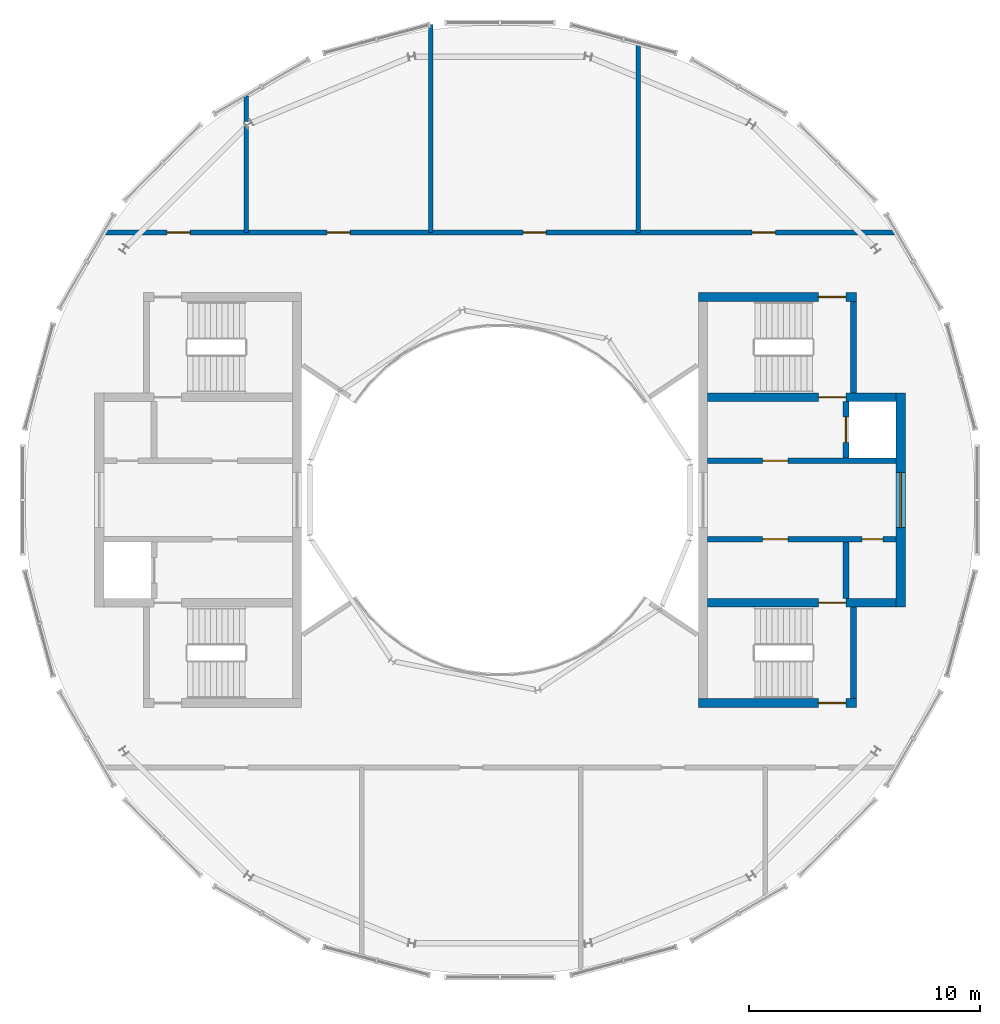
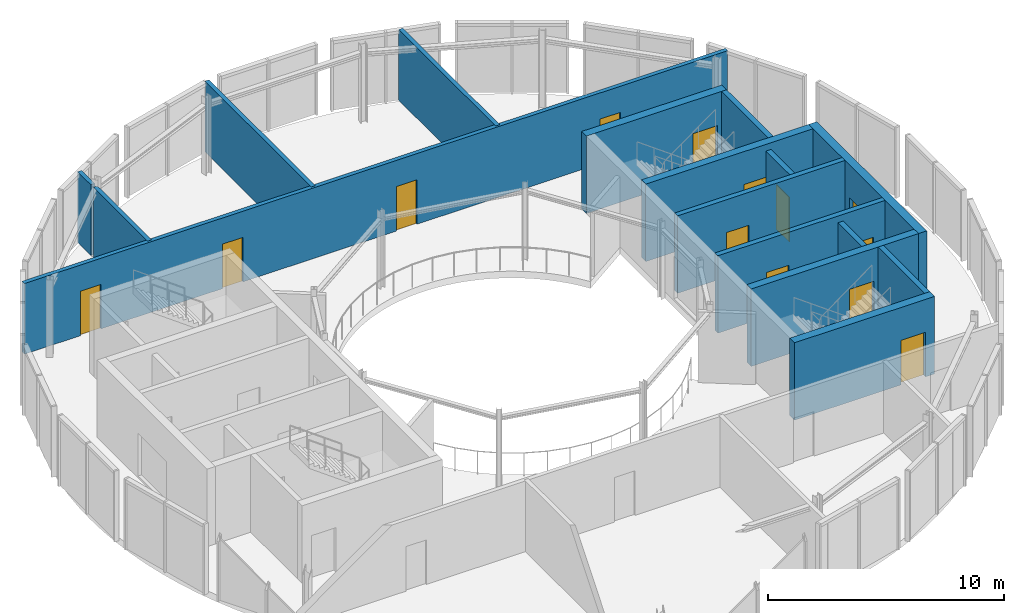
# One storey, part 9 of 12: 16 walls, 12 doors, 1 window, 13 openings.
"""IFC4 building model written with IfcOpenShell, lengths in metres."""

import ifcopenshell
import ifcopenshell.guid

model = None  # the IFC model being written
_history = None  # IfcOwnerHistory: only IFC2X3 demands one
_inside = {}  # id of a spatial element -> (the spatial element, [elements in it])
_under = {}  # id of a project, library or spatial element -> (it, [spatial elements below it])
_declared = {}  # id of a project -> (the project, [libraries it declares])
_typed = {}  # id of a type object -> (the type object, [elements of that type])
_made_of = {}  # id of a material, layer set ... -> (it, [elements and type objects made of it])


def new_model(schema):
    """Start an empty IFC model of exactly this schema.

    Asked for "IFC4X3", IfcOpenShell would pick the latest addendum, in which some entities
    have other attributes; the version numbers below select the first issue.
    IFC2X3 requires an IfcOwnerHistory on every rooted entity: one is made here for all.
    """
    global model, _history
    if schema == "IFC4X3":
        model = ifcopenshell.file(schema_version=(4, 3, 0, 0))
    else:
        model = ifcopenshell.file(schema=schema)
    _inside.clear()
    _under.clear()
    _declared.clear()
    _typed.clear()
    _made_of.clear()
    _history = None
    if model.schema == "IFC2X3":
        org = make("IfcOrganization", Name="unknown")
        user = make(
            "IfcPersonAndOrganization",
            ThePerson=make("IfcPerson", FamilyName="unknown"),
            TheOrganization=org,
        )
        app = make(
            "IfcApplication",
            ApplicationDeveloper=org,
            Version="unknown",
            ApplicationFullName="unknown",
            ApplicationIdentifier="unknown",
        )
        _history = make(
            "IfcOwnerHistory",
            OwningUser=user,
            OwningApplication=app,
            ChangeAction="ADDED",
            CreationDate=0,
        )
    return model


def make(cls, **values):
    """One entity of the class cls with the attributes given. An attribute that is None is left unset."""
    return model.create_entity(
        cls, **{name: value for name, value in values.items() if value is not None}
    )


def rooted(cls, **values):
    """An entity with a GlobalId (a new one), such as an element, a storey or a relation."""
    return make(cls, GlobalId=ifcopenshell.guid.new(), OwnerHistory=_history, **values)


def si_unit(unit_type, name, prefix=None):
    """IfcSIUnit, for example si_unit("LENGTHUNIT", "METRE", prefix="MILLI")."""
    return make("IfcSIUnit", UnitType=unit_type, Prefix=prefix, Name=name)


def assignment(units):
    """IfcUnitAssignment: the units of a project."""
    return None if units is None else make("IfcUnitAssignment", Units=units)


def point(xyz):
    """IfcCartesianPoint."""
    return None if xyz is None else make("IfcCartesianPoint", Coordinates=xyz)


def direction(xyz):
    """IfcDirection."""
    return None if xyz is None else make("IfcDirection", DirectionRatios=xyz)


def frame(location, z_axis=None, x_axis=None):
    """IfcAxis2Placement3D, a coordinate frame: its origin and axes. An axis left out is left unset."""
    return make(
        "IfcAxis2Placement3D",
        Location=point(location),
        Axis=direction(z_axis),
        RefDirection=direction(x_axis),
    )


def frame_2d(location, x_axis=None):
    """IfcAxis2Placement2D, a coordinate frame in the plane: its origin and x axis."""
    return make(
        "IfcAxis2Placement2D", Location=point(location), RefDirection=direction(x_axis)
    )


def origin():
    """The frame at (0, 0, 0) with its axes left unset."""
    return frame((0.0, 0.0, 0.0))


def place(relative_to, where):
    """IfcLocalPlacement: puts the frame where relative to a parent placement (None: the world)."""
    return make(
        "IfcLocalPlacement", PlacementRelTo=relative_to, RelativePlacement=where
    )


def context(
    kind, dimensions, precision=None, world=None, true_north=None, identifier=None
):
    """IfcGeometricRepresentationContext, for example the 3D "Model" context."""
    return make(
        "IfcGeometricRepresentationContext",
        ContextIdentifier=identifier,
        ContextType=kind,
        CoordinateSpaceDimension=dimensions,
        Precision=precision,
        WorldCoordinateSystem=world,
        TrueNorth=true_north,
    )


def subcontext(parent, identifier, kind, view, scale=None):
    """IfcGeometricRepresentationSubContext, for example "Body" below "Model"."""
    return make(
        "IfcGeometricRepresentationSubContext",
        ContextIdentifier=identifier,
        ContextType=kind,
        ParentContext=parent,
        TargetScale=scale,
        TargetView=view,
    )


def project(units=None, contexts=None):
    """IfcProject with its units and contexts."""
    return rooted(
        "IfcProject",
        Name="project",
        RepresentationContexts=contexts,
        UnitsInContext=assignment(units),
    )


def spatial(cls, under=None, at=None, **own):
    """A site, building, storey or space (cls), placed at a placement, below another one or the project."""
    s = rooted(cls, ObjectPlacement=at, **own)
    if under is not None:
        _under.setdefault(under.id(), (under, []))[1].append(s)
    return s


def profile(cls, at=None, kind="AREA", **sizes):
    """A parametric profile (cls). Its sizes go by their IFC names, for example OverallWidth=200.0."""
    return make(cls, ProfileType=kind, Position=at, **sizes)


def rectangle(**sizes):
    """IfcRectangleProfileDef."""
    return profile("IfcRectangleProfileDef", **sizes)


def extrude(swept, where, along, depth):
    """IfcExtrudedAreaSolid: the profile swept, set in the frame where, extruded along a direction by depth."""
    return make(
        "IfcExtrudedAreaSolid",
        SweptArea=swept,
        Position=where,
        ExtrudedDirection=direction(along),
        Depth=depth,
    )


def shape(context_of_items, identifier, shape_type, items):
    """IfcShapeRepresentation: the items that make up one representation, for example the "Body"."""
    return make(
        "IfcShapeRepresentation",
        ContextOfItems=context_of_items,
        RepresentationIdentifier=identifier,
        RepresentationType=shape_type,
        Items=items,
    )


def material(Name=None, Category=None):
    """IfcMaterial."""
    return make("IfcMaterial", Name=Name, Category=Category)


def layer(
    of_material, thickness, ventilated=None, Name=None, Category=None, Priority=None
):
    """IfcMaterialLayer: one layer of a wall or slab, of a material (None: an air gap)."""
    return make(
        "IfcMaterialLayer",
        Material=of_material,
        LayerThickness=thickness,
        IsVentilated=ventilated,
        Name=Name,
        Category=Category,
        Priority=Priority,
    )


def layer_set(layers, Name=None):
    """IfcMaterialLayerSet."""
    return make("IfcMaterialLayerSet", MaterialLayers=layers, LayerSetName=Name)


def made_of(thing, what):
    """Note that an element or type object is made of a material, layer set ...; save() writes the relation."""
    if what is not None:
        _made_of.setdefault(what.id(), (what, []))[1].append(thing)
    return thing


def type_object(cls, material=None, **own):
    """A type object (cls), such as IfcWallType, which elements share."""
    return made_of(rooted(cls, **own), material)


def element(
    cls,
    number,
    at=None,
    inside=None,
    cuts=None,
    type_object=None,
    material=None,
    context=None,
    identifier="Body",
    shape_type=None,
    held_by="IfcProductDefinitionShape",
    body=None,
    shapes=None,
    **own,
):
    """One element of the class cls, such as IfcWall. Its Tag is "e" and its number.

    at: its placement. inside: the storey or other place that contains it. cuts: it is an
    opening in that element (IfcRelVoidsElement). A single representation is given by context,
    identifier, shape_type and body (its items); several are given by shapes. held_by: the class
    of the entity that holds the representations. save() writes the other relations.
    """
    e = rooted(cls, Tag="e%d" % number, ObjectPlacement=at, **own)
    if body is not None:
        shapes = [shape(context, identifier, shape_type, body)]
    if shapes is not None:
        e.Representation = make(held_by, Representations=shapes)
    if inside is not None:
        _inside.setdefault(inside.id(), (inside, []))[1].append(e)
    if cuts is not None:
        rooted(
            "IfcRelVoidsElement", RelatingBuildingElement=cuts, RelatedOpeningElement=e
        )
    if type_object is not None:
        _typed.setdefault(type_object.id(), (type_object, []))[1].append(e)
    return made_of(e, material)


def fill(opening, filler):
    """IfcRelFillsElement: the door or window that sits in an opening."""
    return rooted(
        "IfcRelFillsElement",
        RelatingOpeningElement=opening,
        RelatedBuildingElement=filler,
    )


def aggregate(whole, parts):
    """IfcRelAggregates: a whole, such as a stair, and the parts it consists of."""
    return rooted("IfcRelAggregates", RelatingObject=whole, RelatedObjects=parts)


def save(model, path):
    """Write the relations noted so far, then the file.

    IfcRelAggregates (storeys below a building ...), IfcRelContainedInSpatialStructure (elements
    in a storey), IfcRelDefinesByType, IfcRelAssociatesMaterial and IfcRelDeclares: one each for
    every whole, place, type object, material and project.
    """
    for whole, parts in _under.values():
        aggregate(whole, parts)
    for where, things in _inside.values():
        rooted(
            "IfcRelContainedInSpatialStructure",
            RelatedElements=things,
            RelatingStructure=where,
        )
    for kind, things in _typed.values():
        rooted("IfcRelDefinesByType", RelatedObjects=things, RelatingType=kind)
    for what, things in _made_of.values():
        rooted("IfcRelAssociatesMaterial", RelatedObjects=things, RelatingMaterial=what)
    for by, libraries in _declared.values():
        rooted("IfcRelDeclares", RelatingContext=by, RelatedDefinitions=libraries)
    model.write(path)


model = new_model("IFC4")

# Units and contexts
model_context = context("Model", 3, precision=1e-05, world=origin(), true_north=direction((0.0, 1.0)))
body_context = subcontext(model_context, "Body", "Model", "MODEL_VIEW")
ifc_project = project(units=[si_unit("LENGTHUNIT", "METRE"), si_unit("AREAUNIT", "SQUARE_METRE"), si_unit("VOLUMEUNIT", "CUBIC_METRE"), si_unit("PLANEANGLEUNIT", "RADIAN"), si_unit("MASSUNIT", "GRAM", prefix="KILO")], contexts=[model_context])

# Site, building, storey
site_placement = place(None, origin())
site = spatial("IfcSite", under=ifc_project, at=site_placement, CompositionType="ELEMENT")
building_placement = place(site_placement, origin())
building = spatial("IfcBuilding", under=site, at=building_placement, Name="Maasbend Ring Residences", CompositionType="ELEMENT")
storey_placement = place(building_placement, frame((0.0, 0.0, 265.5)))
storey = spatial("IfcBuildingStorey", under=building, at=storey_placement, Name="L76", CompositionType="ELEMENT", Elevation=265.5)

# Walls
ifc_material_1 = material(Name="Concrete C30/37", Category="concrete")
ifc_layer_1 = layer(ifc_material_1, 0.199951171875)
ifc_layer_set_1 = layer_set([ifc_layer_1], Name="Concrete C30/37")
wall_type_1 = type_object("IfcWallType", Name="COMPARTMENT WALL 200 CONCRETE", PredefinedType="PARTITIONING", material=ifc_layer_set_1)
wall_1_placement = place(storey_placement, frame((6.0, 11.60009765625, 0.0), z_axis=(0.0, 0.0, 1.0), x_axis=(0.0, 1.0, 0.0)))
element("IfcWall", 1, at=wall_1_placement, inside=storey, type_object=wall_type_1, Name="U-L76-w003", PredefinedType="PARTITIONING", context=body_context, shape_type="SweptSolid", body=[
    extrude(rectangle(XDim=8.208984375, YDim=0.199951171875, at=frame_2d((4.1044921875, 0.0))), origin(), (0.0, 0.0, 1.0), 3.64990234375),
])
wall_2_placement = place(storey_placement, frame((-3.0, 11.60009765625, 0.0), z_axis=(0.0, 0.0, 1.0), x_axis=(0.0, 1.0, 0.0)))
element("IfcWall", 2, at=wall_2_placement, inside=storey, type_object=wall_type_1, Name="U-L76-w009", PredefinedType="PARTITIONING", context=body_context, shape_type="SweptSolid", body=[
    extrude(rectangle(XDim=9.012939453125, YDim=0.199951171875, at=frame_2d((4.50634765625, 0.0))), origin(), (0.0, 0.0, 1.0), 3.64990234375),
])
wall_3_placement = place(storey_placement, frame((-11.0, 11.60009765625, 0.0), z_axis=(0.0, 0.0, 1.0), x_axis=(0.0, 1.0, 0.0)))
element("IfcWall", 3, at=wall_3_placement, inside=storey, type_object=wall_type_1, Name="U-L76-w011", PredefinedType="PARTITIONING", context=body_context, shape_type="SweptSolid", body=[
    extrude(rectangle(XDim=4.593017578125, YDim=0.199951171875, at=frame_2d((2.29638671875, 0.0))), origin(), (0.0, 0.0, 1.0), 3.64990234375),
])
wall_4_placement = place(storey_placement, frame((-11.0, 16.403076171875, 0.0), z_axis=(0.0, 0.0, 1.0), x_axis=(0.0, 1.0, 0.0)))
element("IfcWall", 4, at=wall_4_placement, inside=storey, type_object=wall_type_1, Name="U-L76-w012", PredefinedType="PARTITIONING", context=body_context, shape_type="SweptSolid", body=[
    extrude(rectangle(XDim=1.119873046875, YDim=0.199951171875, at=frame_2d((0.56005859375, 0.0))), origin(), (0.0, 0.0, 1.0), 3.64990234375),
])

# Wall, openings, doors
wall_5_placement = place(storey_placement, frame((-17.177001953125, 11.60009765625, 0.0), z_axis=(0.0, 0.0, 1.0), x_axis=(1.0, 0.0, 0.0)))
wall_5 = element("IfcWall", 5, at=wall_5_placement, inside=storey, type_object=wall_type_1, Name="U-L76-w013", PredefinedType="PARTITIONING", context=body_context, shape_type="SweptSolid", body=[
    extrude(rectangle(XDim=34.35400390625, YDim=0.199951171875, at=frame_2d((17.177001953125, 0.0))), origin(), (0.0, 0.0, 1.0), 3.64990234375),
])
opening_1_placement = place(wall_5_placement, frame((2.740966796875, 0.0, 0.0)))
opening_1 = element("IfcOpeningElement", 6, at=opening_1_placement, cuts=wall_5, Name="Opening D-7601", PredefinedType="OPENING", context=body_context, shape_type="SweptSolid", body=[
    extrude(rectangle(XDim=1.0, YDim=2.300048828125, at=frame_2d((0.5, 1.14990234375))), frame((0.0, 0.10986328125, 0.0), z_axis=(0.0, -1.0, 0.0), x_axis=(1.0, 0.0, 0.0)), (0.0, 0.0, 1.0), 0.219970703125),
])
opening_2_placement = place(wall_5_placement, frame((9.677001953125, 0.0, 0.0)))
opening_2 = element("IfcOpeningElement", 7, at=opening_2_placement, cuts=wall_5, Name="Opening D-7602", PredefinedType="OPENING", context=body_context, shape_type="SweptSolid", body=[
    extrude(rectangle(XDim=1.0, YDim=2.300048828125, at=frame_2d((0.5, 1.14990234375))), frame((0.0, 0.10986328125, 0.0), z_axis=(0.0, -1.0, 0.0), x_axis=(1.0, 0.0, 0.0)), (0.0, 0.0, 1.0), 0.219970703125),
])
opening_3_placement = place(wall_5_placement, frame((18.177001953125, 0.0, 0.0)))
opening_3 = element("IfcOpeningElement", 8, at=opening_3_placement, cuts=wall_5, Name="Opening D-7603", PredefinedType="OPENING", context=body_context, shape_type="SweptSolid", body=[
    extrude(rectangle(XDim=1.0, YDim=2.300048828125, at=frame_2d((0.5, 1.14990234375))), frame((0.0, 0.10986328125, 0.0), z_axis=(0.0, -1.0, 0.0), x_axis=(1.0, 0.0, 0.0)), (0.0, 0.0, 1.0), 0.219970703125),
])
opening_4_placement = place(wall_5_placement, frame((28.113037109375, 0.0, 0.0)))
opening_4 = element("IfcOpeningElement", 9, at=opening_4_placement, cuts=wall_5, Name="Opening D-7604", PredefinedType="OPENING", context=body_context, shape_type="SweptSolid", body=[
    extrude(rectangle(XDim=1.0, YDim=2.300048828125, at=frame_2d((0.5, 1.14990234375))), frame((0.0, 0.10986328125, 0.0), z_axis=(0.0, -1.0, 0.0), x_axis=(1.0, 0.0, 0.0)), (0.0, 0.0, 1.0), 0.219970703125),
])
ifc_material_2 = material(Name="Steel, fire-rated, painted", Category="steel")
door_type_1 = type_object("IfcDoorType", Name="PLANT DOOR 1000 X 2300 FIRE-RATED", OperationType="NOTDEFINED", PredefinedType="DOOR", material=ifc_material_2)
door_1_placement = place(opening_1_placement, origin())
door_1 = element("IfcDoor", 10, at=door_1_placement, inside=storey, type_object=door_type_1, Name="D-7601", OperationType="SINGLE_SWING_LEFT", OverallHeight=2.300048828125, OverallWidth=1.0, PredefinedType="DOOR", context=body_context, shape_type="SweptSolid", body=[
    extrude(rectangle(XDim=1.0, YDim=2.300048828125, at=frame_2d((0.5, 1.14990234375))), frame((0.0, 0.02490234375, 0.0), z_axis=(0.0, -1.0, 0.0), x_axis=(1.0, 0.0, 0.0)), (0.0, 0.0, 1.0), 0.050048828125),
])
fill(opening_1, door_1)
door_2_placement = place(opening_2_placement, origin())
door_2 = element("IfcDoor", 11, at=door_2_placement, inside=storey, type_object=door_type_1, Name="D-7602", OperationType="SINGLE_SWING_LEFT", OverallHeight=2.300048828125, OverallWidth=1.0, PredefinedType="DOOR", context=body_context, shape_type="SweptSolid", body=[
    extrude(rectangle(XDim=1.0, YDim=2.300048828125, at=frame_2d((0.5, 1.14990234375))), frame((0.0, 0.02490234375, 0.0), z_axis=(0.0, -1.0, 0.0), x_axis=(1.0, 0.0, 0.0)), (0.0, 0.0, 1.0), 0.050048828125),
])
fill(opening_2, door_2)
door_3_placement = place(opening_3_placement, origin())
door_3 = element("IfcDoor", 12, at=door_3_placement, inside=storey, type_object=door_type_1, Name="D-7603", OperationType="SINGLE_SWING_RIGHT", OverallHeight=2.300048828125, OverallWidth=1.0, PredefinedType="DOOR", context=body_context, shape_type="SweptSolid", body=[
    extrude(rectangle(XDim=1.0, YDim=2.300048828125, at=frame_2d((0.5, 1.14990234375))), frame((0.0, 0.02490234375, 0.0), z_axis=(0.0, -1.0, 0.0), x_axis=(1.0, 0.0, 0.0)), (0.0, 0.0, 1.0), 0.050048828125),
])
fill(opening_3, door_3)
door_4_placement = place(opening_4_placement, origin())
door_4 = element("IfcDoor", 13, at=door_4_placement, inside=storey, type_object=door_type_1, Name="D-7604", OperationType="SINGLE_SWING_RIGHT", OverallHeight=2.300048828125, OverallWidth=1.0, PredefinedType="DOOR", context=body_context, shape_type="SweptSolid", body=[
    extrude(rectangle(XDim=1.0, YDim=2.300048828125, at=frame_2d((0.5, 1.14990234375))), frame((0.0, 0.02490234375, 0.0), z_axis=(0.0, -1.0, 0.0), x_axis=(1.0, 0.0, 0.0)), (0.0, 0.0, 1.0), 0.050048828125),
])
fill(opening_4, door_4)

# Wall, opening, door
ifc_material_3 = material(Name="Concrete C50/60", Category="concrete")
ifc_layer_2 = layer(ifc_material_3, 0.25)
ifc_layer_set_2 = layer_set([ifc_layer_2], Name="Concrete C50/60")
wall_type_2 = type_object("IfcWallType", Name="CORE WALL 250 C50/60", PredefinedType="SHEAR", material=ifc_layer_set_2)
wall_6_placement = place(storey_placement, frame((9.0, 1.699951171875, 0.0), z_axis=(0.0, 0.0, 1.0), x_axis=(1.0, 0.0, 0.0)))
wall_6 = element("IfcWall", 14, at=wall_6_placement, inside=storey, type_object=wall_type_2, Name="L76 core E wall SPN", PredefinedType="SHEAR", context=body_context, shape_type="SweptSolid", body=[
    extrude(rectangle(XDim=8.175048828125, YDim=0.25, at=frame_2d((4.08740234375, 0.0))), origin(), (0.0, 0.0, 1.0), 4.0),
])
opening_5_placement = place(wall_6_placement, frame((2.387451171875, 0.0, 0.0)))
opening_5 = element("IfcOpeningElement", 15, at=opening_5_placement, cuts=wall_6, Name="Opening D-E7602", PredefinedType="OPENING", context=body_context, shape_type="SweptSolid", body=[
    extrude(rectangle(XDim=1.10009765625, YDim=2.300048828125, at=frame_2d((0.550048828125, 1.14990234375))), frame((0.0, 0.135009765625, 0.0), z_axis=(0.0, -1.0, 0.0), x_axis=(1.0, 0.0, 0.0)), (0.0, 0.0, 1.0), 0.27001953125),
])
ifc_material_4 = material(Name="Steel, powder coated", Category="steel")
door_type_2 = type_object("IfcDoorType", Name="LOBBY DOOR 1100 X 2300 FD60", OperationType="NOTDEFINED", PredefinedType="DOOR", material=ifc_material_4)
door_5_placement = place(opening_5_placement, origin())
door_5 = element("IfcDoor", 16, at=door_5_placement, inside=storey, type_object=door_type_2, Name="Lobby door L76", OperationType="SINGLE_SWING_RIGHT", OverallHeight=2.300048828125, OverallWidth=1.10009765625, PredefinedType="DOOR", context=body_context, shape_type="SweptSolid", body=[
    extrude(rectangle(XDim=1.10009765625, YDim=2.300048828125, at=frame_2d((0.550048828125, 1.14990234375))), frame((0.0, 0.02490234375, 0.0), z_axis=(0.0, -1.0, 0.0), x_axis=(1.0, 0.0, 0.0)), (0.0, 0.0, 1.0), 0.050048828125),
])
fill(opening_5, door_5)

# Wall
wall_7_placement = place(storey_placement, frame((15.324951171875, 4.64990234375, 0.0), z_axis=(0.0, 0.0, 1.0), x_axis=(0.0, 1.0, 0.0)))
element("IfcWall", 17, at=wall_7_placement, inside=storey, type_object=wall_type_2, Name="L76 core E wall STEN", PredefinedType="SHEAR", context=body_context, shape_type="SweptSolid", body=[
    extrude(rectangle(XDim=3.9501953125, YDim=0.25, at=frame_2d((1.97509765625, 0.0))), origin(), (0.0, 0.0, 1.0), 4.0),
])

# Wall, openings, doors
wall_8_placement = place(storey_placement, frame((17.175048828125, -1.699951171875, 0.0), z_axis=(0.0, 0.0, 1.0), x_axis=(-1.0, 0.0, 0.0)))
wall_8 = element("IfcWall", 18, at=wall_8_placement, inside=storey, type_object=wall_type_2, Name="L76 core E wall SPS", PredefinedType="SHEAR", context=body_context, shape_type="SweptSolid", body=[
    extrude(rectangle(XDim=8.175048828125, YDim=0.25, at=frame_2d((4.08740234375, 0.0))), origin(), (0.0, 0.0, 1.0), 4.0),
])
opening_6_placement = place(wall_8_placement, frame((4.6875, 0.0, 0.0)))
opening_6 = element("IfcOpeningElement", 19, at=opening_6_placement, cuts=wall_8, Name="Opening D-E7603", PredefinedType="OPENING", context=body_context, shape_type="SweptSolid", body=[
    extrude(rectangle(XDim=1.10009765625, YDim=2.300048828125, at=frame_2d((0.550048828125, 1.14990234375))), frame((0.0, 0.135009765625, 0.0), z_axis=(0.0, -1.0, 0.0), x_axis=(1.0, 0.0, 0.0)), (0.0, 0.0, 1.0), 0.27001953125),
])
opening_7_placement = place(wall_8_placement, frame((0.574951171875, 0.0, 0.0)))
opening_7 = element("IfcOpeningElement", 20, at=opening_7_placement, cuts=wall_8, Name="Opening D-E7604", PredefinedType="OPENING", context=body_context, shape_type="SweptSolid", body=[
    extrude(rectangle(XDim=0.89990234375, YDim=2.300048828125, at=frame_2d((0.449951171875, 1.14990234375))), frame((0.0, 0.135009765625, 0.0), z_axis=(0.0, -1.0, 0.0), x_axis=(1.0, 0.0, 0.0)), (0.0, 0.0, 1.0), 0.27001953125),
])
ifc_material_5 = material(Name="Steel, powder coated", Category="steel")
door_type_3 = type_object("IfcDoorType", Name="ROOM DOOR 1100 X 2300 FD30S", OperationType="NOTDEFINED", PredefinedType="DOOR", material=ifc_material_5)
door_6_placement = place(opening_6_placement, origin())
door_6 = element("IfcDoor", 21, at=door_6_placement, inside=storey, type_object=door_type_3, Name="Room door L76", OperationType="SINGLE_SWING_LEFT", OverallHeight=2.300048828125, OverallWidth=1.10009765625, PredefinedType="DOOR", context=body_context, shape_type="SweptSolid", body=[
    extrude(rectangle(XDim=1.10009765625, YDim=2.300048828125, at=frame_2d((0.550048828125, 1.14990234375))), frame((0.0, 0.02490234375, 0.0), z_axis=(0.0, -1.0, 0.0), x_axis=(1.0, 0.0, 0.0)), (0.0, 0.0, 1.0), 0.050048828125),
])
fill(opening_6, door_6)
ifc_material_6 = material(Name="Steel, powder coated", Category="steel")
door_type_4 = type_object("IfcDoorType", Name="ROOM DOOR 900 X 2300 FD30S", OperationType="NOTDEFINED", PredefinedType="DOOR", material=ifc_material_6)
door_7_placement = place(opening_7_placement, origin())
door_7 = element("IfcDoor", 22, at=door_7_placement, inside=storey, type_object=door_type_4, Name="Room door L76", OperationType="SINGLE_SWING_RIGHT", OverallHeight=2.300048828125, OverallWidth=0.89990234375, PredefinedType="DOOR", context=body_context, shape_type="SweptSolid", body=[
    extrude(rectangle(XDim=0.89990234375, YDim=2.300048828125, at=frame_2d((0.449951171875, 1.14990234375))), frame((0.0, 0.02490234375, 0.0), z_axis=(0.0, -1.0, 0.0), x_axis=(1.0, 0.0, 0.0)), (0.0, 0.0, 1.0), 0.050048828125),
])
fill(opening_7, door_7)

# Wall
wall_9_placement = place(storey_placement, frame((15.324951171875, -4.64990234375, 0.0), z_axis=(0.0, 0.0, 1.0), x_axis=(0.0, -1.0, 0.0)))
element("IfcWall", 23, at=wall_9_placement, inside=storey, type_object=wall_type_2, Name="L76 core E wall STES", PredefinedType="SHEAR", context=body_context, shape_type="SweptSolid", body=[
    extrude(rectangle(XDim=3.9501953125, YDim=0.25, at=frame_2d((1.97509765625, 0.0))), origin(), (0.0, 0.0, 1.0), 4.0),
])

# Wall, opening, door
ifc_material_7 = material(Name="Concrete C50/60", Category="concrete")
ifc_layer_3 = layer(ifc_material_7, 0.375)
ifc_layer_set_3 = layer_set([ifc_layer_3], Name="Concrete C50/60")
wall_type_3 = type_object("IfcWallType", Name="CORE WALL 375 C50/60", PredefinedType="SHEAR", material=ifc_layer_set_3)
wall_10_placement = place(storey_placement, frame((9.0, 4.46240234375, 0.0), z_axis=(0.0, 0.0, 1.0), x_axis=(1.0, 0.0, 0.0)))
wall_10 = element("IfcWall", 24, at=wall_10_placement, inside=storey, type_object=wall_type_3, Name="L76 core E wall BN", PredefinedType="SHEAR", context=body_context, shape_type="SweptSolid", body=[
    extrude(rectangle(XDim=8.175048828125, YDim=0.375, at=frame_2d((4.08740234375, 0.0))), origin(), (0.0, 0.0, 1.0), 4.0),
])
opening_8_placement = place(wall_10_placement, frame((4.800048828125, 0.0, 0.0)))
opening_8 = element("IfcOpeningElement", 25, at=opening_8_placement, cuts=wall_10, Name="Opening D-E7605", PredefinedType="OPENING", context=body_context, shape_type="SweptSolid", body=[
    extrude(rectangle(XDim=1.199951171875, YDim=2.300048828125, at=frame_2d((0.60009765625, 1.14990234375))), frame((0.0, 0.197509765625, 0.0), z_axis=(0.0, -1.0, 0.0), x_axis=(1.0, 0.0, 0.0)), (0.0, 0.0, 1.0), 0.39501953125),
])
ifc_material_8 = material(Name="Steel, powder coated", Category="steel")
door_type_5 = type_object("IfcDoorType", Name="STAIR DOOR 1200 X 2300 FD60", OperationType="NOTDEFINED", PredefinedType="DOOR", material=ifc_material_8)
door_8_placement = place(opening_8_placement, origin())
door_8 = element("IfcDoor", 26, at=door_8_placement, inside=storey, type_object=door_type_5, Name="Stair door ST-E L76", OperationType="SINGLE_SWING_LEFT", OverallHeight=2.300048828125, OverallWidth=1.199951171875, PredefinedType="DOOR", context=body_context, shape_type="SweptSolid", body=[
    extrude(rectangle(XDim=1.199951171875, YDim=2.300048828125, at=frame_2d((0.60009765625, 1.14990234375))), frame((0.0, 0.02490234375, 0.0), z_axis=(0.0, -1.0, 0.0), x_axis=(1.0, 0.0, 0.0)), (0.0, 0.0, 1.0), 0.050048828125),
])
fill(opening_8, door_8)

wall_11_placement = place(storey_placement, frame((17.175048828125, -4.46240234375, 0.0), z_axis=(0.0, 0.0, 1.0), x_axis=(-1.0, 0.0, 0.0)))
wall_11 = element("IfcWall", 27, at=wall_11_placement, inside=storey, type_object=wall_type_3, Name="L76 core E wall BS", PredefinedType="SHEAR", context=body_context, shape_type="SweptSolid", body=[
    extrude(rectangle(XDim=8.175048828125, YDim=0.375, at=frame_2d((4.08740234375, 0.0))), origin(), (0.0, 0.0, 1.0), 4.0),
])
opening_9_placement = place(wall_11_placement, frame((2.175048828125, 0.0, 0.0)))
opening_9 = element("IfcOpeningElement", 28, at=opening_9_placement, cuts=wall_11, Name="Opening D-E7606", PredefinedType="OPENING", context=body_context, shape_type="SweptSolid", body=[
    extrude(rectangle(XDim=1.199951171875, YDim=2.300048828125, at=frame_2d((0.60009765625, 1.14990234375))), frame((0.0, 0.197509765625, 0.0), z_axis=(0.0, -1.0, 0.0), x_axis=(1.0, 0.0, 0.0)), (0.0, 0.0, 1.0), 0.39501953125),
])
door_9_placement = place(opening_9_placement, origin())
door_9 = element("IfcDoor", 29, at=door_9_placement, inside=storey, type_object=door_type_5, Name="Stair door ST-E L76", OperationType="SINGLE_SWING_RIGHT", OverallHeight=2.300048828125, OverallWidth=1.199951171875, PredefinedType="DOOR", context=body_context, shape_type="SweptSolid", body=[
    extrude(rectangle(XDim=1.199951171875, YDim=2.300048828125, at=frame_2d((0.60009765625, 1.14990234375))), frame((0.0, 0.02490234375, 0.0), z_axis=(0.0, -1.0, 0.0), x_axis=(1.0, 0.0, 0.0)), (0.0, 0.0, 1.0), 0.050048828125),
])
fill(opening_9, door_9)

ifc_material_9 = material(Name="Concrete C50/60", Category="concrete")
ifc_layer_4 = layer(ifc_material_9, 0.39990234375)
ifc_layer_set_4 = layer_set([ifc_layer_4], Name="Concrete C50/60")
wall_type_4 = type_object("IfcWallType", Name="CORE WALL 400 C50/60", PredefinedType="SHEAR", material=ifc_layer_set_4)
wall_12_placement = place(storey_placement, frame((15.449951171875, 8.800048828125, 0.0), z_axis=(0.0, 0.0, 1.0), x_axis=(-1.0, 0.0, 0.0)))
wall_12 = element("IfcWall", 30, at=wall_12_placement, inside=storey, type_object=wall_type_4, Name="L76 core E wall PN", PredefinedType="SHEAR", context=body_context, shape_type="SweptSolid", body=[
    extrude(rectangle(XDim=6.849853515625, YDim=0.39990234375, at=frame_2d((3.4248046875, 0.0))), origin(), (0.0, 0.0, 1.0), 4.0),
])
opening_10_placement = place(wall_12_placement, frame((0.449951171875, 0.0, 0.0)))
opening_10 = element("IfcOpeningElement", 31, at=opening_10_placement, cuts=wall_12, Name="Opening D-E7607", PredefinedType="OPENING", context=body_context, shape_type="SweptSolid", body=[
    extrude(rectangle(XDim=1.199951171875, YDim=2.300048828125, at=frame_2d((0.60009765625, 1.14990234375))), frame((0.0, 0.2099609375, 0.0), z_axis=(0.0, -1.0, 0.0), x_axis=(1.0, 0.0, 0.0)), (0.0, 0.0, 1.0), 0.419921875),
])
door_10_placement = place(opening_10_placement, origin())
door_10 = element("IfcDoor", 32, at=door_10_placement, inside=storey, type_object=door_type_5, Name="Stair door ST-E L76", OperationType="SINGLE_SWING_RIGHT", OverallHeight=2.300048828125, OverallWidth=1.199951171875, PredefinedType="DOOR", context=body_context, shape_type="SweptSolid", body=[
    extrude(rectangle(XDim=1.199951171875, YDim=2.300048828125, at=frame_2d((0.60009765625, 1.14990234375))), frame((0.0, 0.02490234375, 0.0), z_axis=(0.0, -1.0, 0.0), x_axis=(1.0, 0.0, 0.0)), (0.0, 0.0, 1.0), 0.050048828125),
])
fill(opening_10, door_10)

wall_13_placement = place(storey_placement, frame((8.60009765625, -8.800048828125, 0.0), z_axis=(0.0, 0.0, 1.0), x_axis=(1.0, 0.0, 0.0)))
wall_13 = element("IfcWall", 33, at=wall_13_placement, inside=storey, type_object=wall_type_4, Name="L76 core E wall PS", PredefinedType="SHEAR", context=body_context, shape_type="SweptSolid", body=[
    extrude(rectangle(XDim=6.849853515625, YDim=0.39990234375, at=frame_2d((3.4248046875, 0.0))), origin(), (0.0, 0.0, 1.0), 4.0),
])
opening_11_placement = place(wall_13_placement, frame((5.199951171875, 0.0, 0.0)))
opening_11 = element("IfcOpeningElement", 34, at=opening_11_placement, cuts=wall_13, Name="Opening D-E7608", PredefinedType="OPENING", context=body_context, shape_type="SweptSolid", body=[
    extrude(rectangle(XDim=1.199951171875, YDim=2.300048828125, at=frame_2d((0.60009765625, 1.14990234375))), frame((0.0, 0.2099609375, 0.0), z_axis=(0.0, -1.0, 0.0), x_axis=(1.0, 0.0, 0.0)), (0.0, 0.0, 1.0), 0.419921875),
])
door_11_placement = place(opening_11_placement, origin())
door_11 = element("IfcDoor", 35, at=door_11_placement, inside=storey, type_object=door_type_5, Name="Stair door ST-E L76", OperationType="SINGLE_SWING_LEFT", OverallHeight=2.300048828125, OverallWidth=1.199951171875, PredefinedType="DOOR", context=body_context, shape_type="SweptSolid", body=[
    extrude(rectangle(XDim=1.199951171875, YDim=2.300048828125, at=frame_2d((0.60009765625, 1.14990234375))), frame((0.0, 0.02490234375, 0.0), z_axis=(0.0, -1.0, 0.0), x_axis=(1.0, 0.0, 0.0)), (0.0, 0.0, 1.0), 0.050048828125),
])
fill(opening_11, door_11)

# Wall, opening, window
wall_14_placement = place(storey_placement, frame((17.375, -4.64990234375, 0.0), z_axis=(0.0, 0.0, 1.0), x_axis=(0.0, 1.0, 0.0)))
wall_14 = element("IfcWall", 36, at=wall_14_placement, inside=storey, type_object=wall_type_4, Name="L76 core E wall POUT", PredefinedType="SHEAR", context=body_context, shape_type="SweptSolid", body=[
    extrude(rectangle(XDim=9.2998046875, YDim=0.39990234375, at=frame_2d((4.64990234375, 0.0))), origin(), (0.0, 0.0, 1.0), 4.0),
])
opening_12_placement = place(wall_14_placement, frame((3.449951171875, 0.0, 0.10009765625)))
opening_12 = element("IfcOpeningElement", 37, at=opening_12_placement, cuts=wall_14, Name="Opening W-E7602", PredefinedType="OPENING", context=body_context, shape_type="SweptSolid", body=[
    extrude(rectangle(XDim=2.39990234375, YDim=2.199951171875, at=frame_2d((1.199951171875, 1.10009765625))), frame((0.0, 0.2099609375, 0.0), z_axis=(0.0, -1.0, 0.0), x_axis=(1.0, 0.0, 0.0)), (0.0, 0.0, 1.0), 0.419921875),
])
ifc_material_10 = material(Name="Aluminium frame and clear glass", Category="aluminium")
window_type = type_object("IfcWindowType", Name="FIXED WINDOW 2400 X 2200", PartitioningType="SINGLE_PANEL", PredefinedType="WINDOW", material=ifc_material_10)
window_placement = place(opening_12_placement, origin())
window = element("IfcWindow", 38, at=window_placement, inside=storey, type_object=window_type, Name="Lobby window L76", OverallHeight=2.199951171875, OverallWidth=2.39990234375, PartitioningType="SINGLE_PANEL", PredefinedType="WINDOW", context=body_context, shape_type="SweptSolid", body=[
    extrude(rectangle(XDim=2.39990234375, YDim=2.199951171875, at=frame_2d((1.199951171875, 1.10009765625))), frame((0.0, 0.030029296875, 0.0), z_axis=(0.0, -1.0, 0.0), x_axis=(1.0, 0.0, 0.0)), (0.0, 0.0, 1.0), 0.06005859375),
])
fill(opening_12, window)

# Wall, opening, door
ifc_material_11 = material(Name="Concrete C30/37", Category="concrete")
ifc_layer_5 = layer(ifc_material_11, 0.25)
ifc_layer_set_5 = layer_set([ifc_layer_5], Name="Concrete C30/37")
wall_type_5 = type_object("IfcWallType", Name="SHAFT WALL 250 EI 120", PredefinedType="SOLIDWALL", material=ifc_layer_set_5)
wall_15_placement = place(storey_placement, frame((15.0, 1.824951171875, 0.0), z_axis=(0.0, 0.0, 1.0), x_axis=(0.0, 1.0, 0.0)))
wall_15 = element("IfcWall", 39, at=wall_15_placement, inside=storey, type_object=wall_type_5, Name="L76 core E wall D150N", PredefinedType="SOLIDWALL", context=body_context, shape_type="SweptSolid", body=[
    extrude(rectangle(XDim=2.449951171875, YDim=0.25, at=frame_2d((1.22509765625, 0.0))), origin(), (0.0, 0.0, 1.0), 3.64990234375),
])
opening_13_placement = place(wall_15_placement, frame((0.675048828125, 0.0, 0.0)))
opening_13 = element("IfcOpeningElement", 40, at=opening_13_placement, cuts=wall_15, Name="Opening LD-E7601", PredefinedType="OPENING", context=body_context, shape_type="SweptSolid", body=[
    extrude(rectangle(XDim=1.10009765625, YDim=2.300048828125, at=frame_2d((0.550048828125, 1.14990234375))), frame((0.0, 0.135009765625, 0.0), z_axis=(0.0, -1.0, 0.0), x_axis=(1.0, 0.0, 0.0)), (0.0, 0.0, 1.0), 0.27001953125),
])
ifc_material_12 = material(Name="Stainless steel 316", Category="steel")
door_type_6 = type_object("IfcDoorType", Name="LANDING DOOR 1100 X 2300 FD60", OperationType="DOUBLE_DOOR_SLIDING", PredefinedType="DOOR", material=ifc_material_12)
door_12_placement = place(opening_13_placement, origin())
door_12 = element("IfcDoor", 41, at=door_12_placement, inside=storey, type_object=door_type_6, Name="Landing door FF-E L76", OperationType="DOUBLE_DOOR_SLIDING", OverallHeight=2.300048828125, OverallWidth=1.10009765625, PredefinedType="DOOR", context=body_context, shape_type="SweptSolid", body=[
    extrude(rectangle(XDim=1.10009765625, YDim=2.300048828125, at=frame_2d((0.550048828125, 1.14990234375))), frame((0.0, 0.02490234375, 0.0), z_axis=(0.0, -1.0, 0.0), x_axis=(1.0, 0.0, 0.0)), (0.0, 0.0, 1.0), 0.050048828125),
])
fill(opening_13, door_12)

# Wall
wall_16_placement = place(storey_placement, frame((15.0, -1.824951171875, 0.0), z_axis=(0.0, 0.0, 1.0), x_axis=(0.0, -1.0, 0.0)))
element("IfcWall", 42, at=wall_16_placement, inside=storey, type_object=wall_type_5, Name="L76 core E wall D150S", PredefinedType="SOLIDWALL", context=body_context, shape_type="SweptSolid", body=[
    extrude(rectangle(XDim=2.449951171875, YDim=0.25, at=frame_2d((1.22509765625, 0.0))), origin(), (0.0, 0.0, 1.0), 3.64990234375),
])

save(model, "model.ifc")
